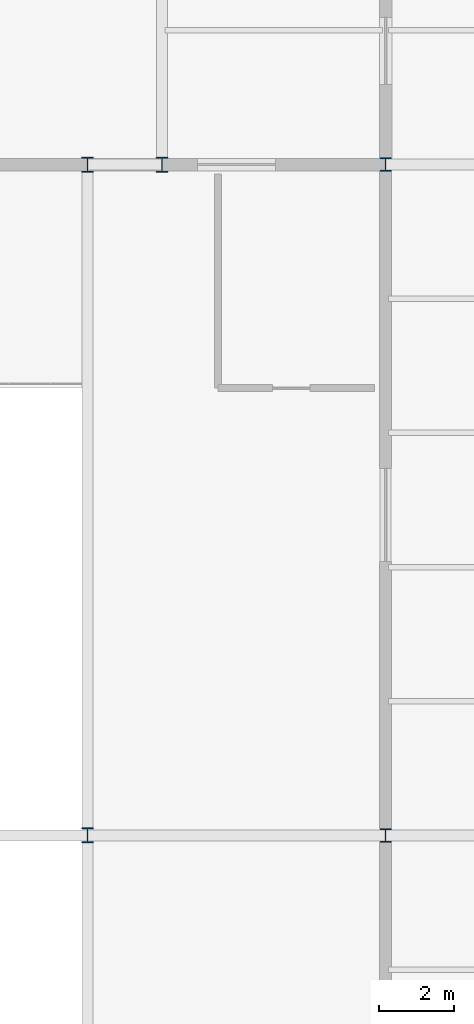
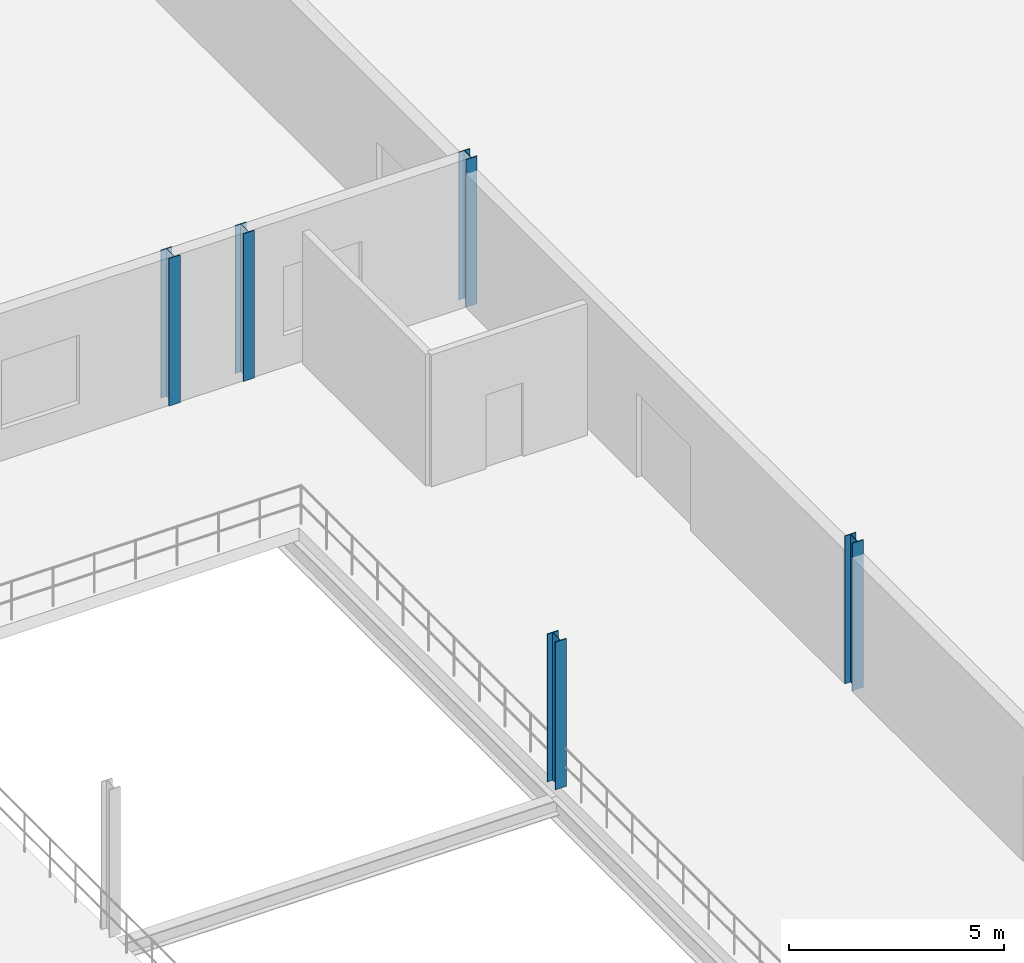
# One storey, part 14 of 147: 5 columns.
"""IFC4 building model written with IfcOpenShell, lengths in metres."""

from ifc_helpers import new_model, si_unit, direction, frame, origin, origin_2d, place, context, subcontext, project, spatial, i_section, extrude, material, material_profile, profile_set, type_object, element, save


model = new_model("IFC4")

# Units and contexts
model_context = context("Model", 3, precision=1e-05, world=origin(), true_north=direction((0.0, 1.0)))
body_context = subcontext(model_context, "Body", "Model", "MODEL_VIEW")
ifc_project = project(units=[si_unit("LENGTHUNIT", "METRE"), si_unit("AREAUNIT", "SQUARE_METRE"), si_unit("VOLUMEUNIT", "CUBIC_METRE"), si_unit("PLANEANGLEUNIT", "RADIAN"), si_unit("MASSUNIT", "GRAM", prefix="KILO")], contexts=[model_context])

# Site, building, storey
site_placement = place(None, origin())
site = spatial("IfcSite", under=ifc_project, at=site_placement, CompositionType="ELEMENT")
building_placement = place(site_placement, origin())
building = spatial("IfcBuilding", under=site, at=building_placement, Name="Zilviju Railside Exhibition Hall", CompositionType="ELEMENT")
storey_placement = place(building_placement, frame((0.0, 0.0, 8.39990234375)))
storey = spatial("IfcBuildingStorey", under=building, at=storey_placement, Name="L03", CompositionType="ELEMENT", Elevation=8.39990234375)

# Columns
ifc_material = material(Name="Steel S355J2", Category="steel")
ifc_material_profile_1 = material_profile(ifc_material, i_section(OverallWidth=0.300048828125, OverallDepth=0.360107421875, WebThickness=0.012451171875, FlangeThickness=0.0224609375, at=origin_2d()), Name="HEB 360")
ifc_profile_set_1 = profile_set([ifc_material_profile_1], Name="Steel S355J2")
column_type_1 = type_object("IfcColumnType", Name="COL-ST-HEB360", PredefinedType="COLUMN", material=ifc_profile_set_1)
for number, where, z_axis, x_axis, name in (
    (1, (78.0, 102.0, 0.0), (0.0, 0.0, 1.0), (1.0, 0.0, 0.0), "Structural Column L03 (78.0, 102.0)"),
    (2, (78.0, 120.0, 0.0), (0.0, 0.0, 1.0), (1.0, 0.0, 0.0), "Structural Column L03 (78.0, 120.0)"),
):
    element("IfcColumn", number, at=place(storey_placement, frame(where, z_axis=z_axis, x_axis=x_axis)), inside=storey, type_object=column_type_1, Name=name, PredefinedType="COLUMN", context=body_context, shape_type="SweptSolid", body=[
        extrude(i_section(OverallWidth=0.300048828125, OverallDepth=0.360107421875, WebThickness=0.012451171875, FlangeThickness=0.0224609375, at=origin_2d()), origin(), (0.0, 0.0, 1.0), 4.2001953125),
    ])
ifc_material_profile_2 = material_profile(ifc_material, i_section(OverallWidth=0.300048828125, OverallDepth=0.39990234375, WebThickness=0.013427734375, FlangeThickness=0.02392578125, at=origin_2d()), Name="HEB 400")
ifc_profile_set_2 = profile_set([ifc_material_profile_2], Name="Steel S355J2")
column_type_2 = type_object("IfcColumnType", Name="COL-ST-HEB400", PredefinedType="COLUMN", material=ifc_profile_set_2)
for number, where, z_axis, x_axis, name in (
    (3, (70.0, 102.0, 0.0), (0.0, 0.0, 1.0), (1.0, 0.0, 0.0), "Structural Column L03 (70.0, 102.0)"),
    (4, (70.0, 120.0, 0.0), (0.0, 0.0, 1.0), (1.0, 0.0, 0.0), "Structural Column L03 (70.0, 120.0)"),
    (5, (72.0, 120.0, 0.0), (0.0, 0.0, 1.0), (1.0, 0.0, 0.0), "Structural Column L03 (72.0, 120.0)"),
):
    element("IfcColumn", number, at=place(storey_placement, frame(where, z_axis=z_axis, x_axis=x_axis)), inside=storey, type_object=column_type_2, Name=name, PredefinedType="COLUMN", context=body_context, shape_type="SweptSolid", body=[
        extrude(i_section(OverallWidth=0.300048828125, OverallDepth=0.39990234375, WebThickness=0.013427734375, FlangeThickness=0.02392578125, at=origin_2d()), origin(), (0.0, 0.0, 1.0), 4.2001953125),
    ])

save(model, "model.ifc")
